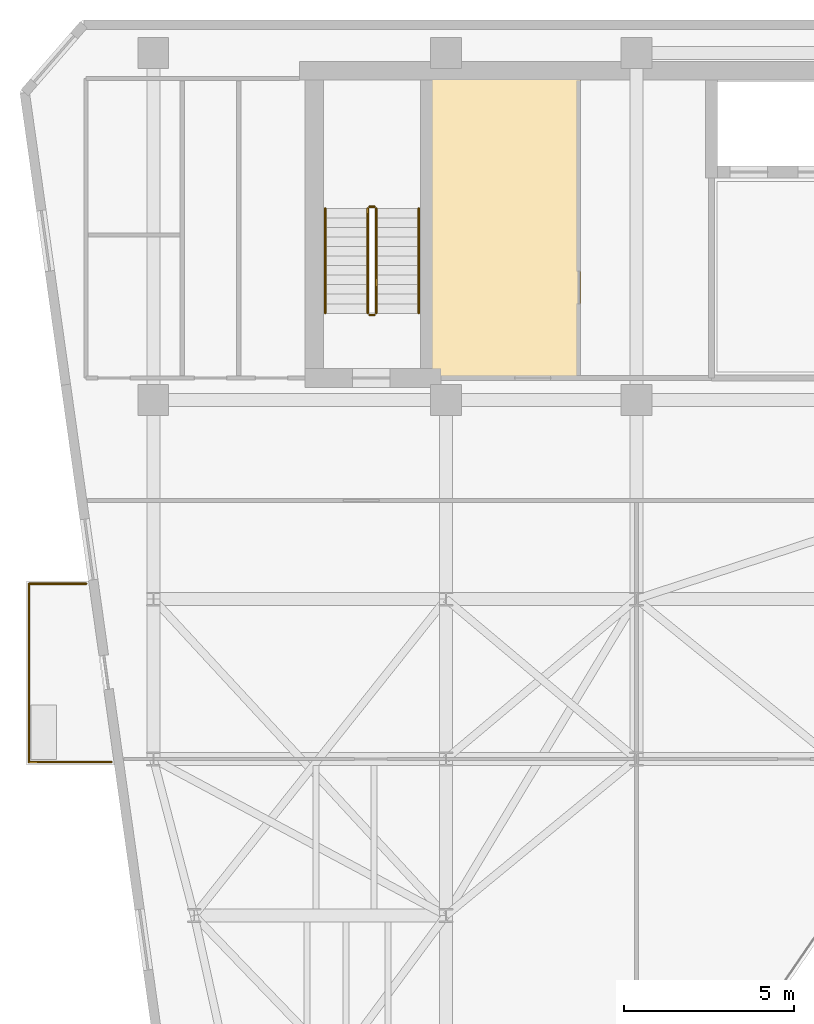
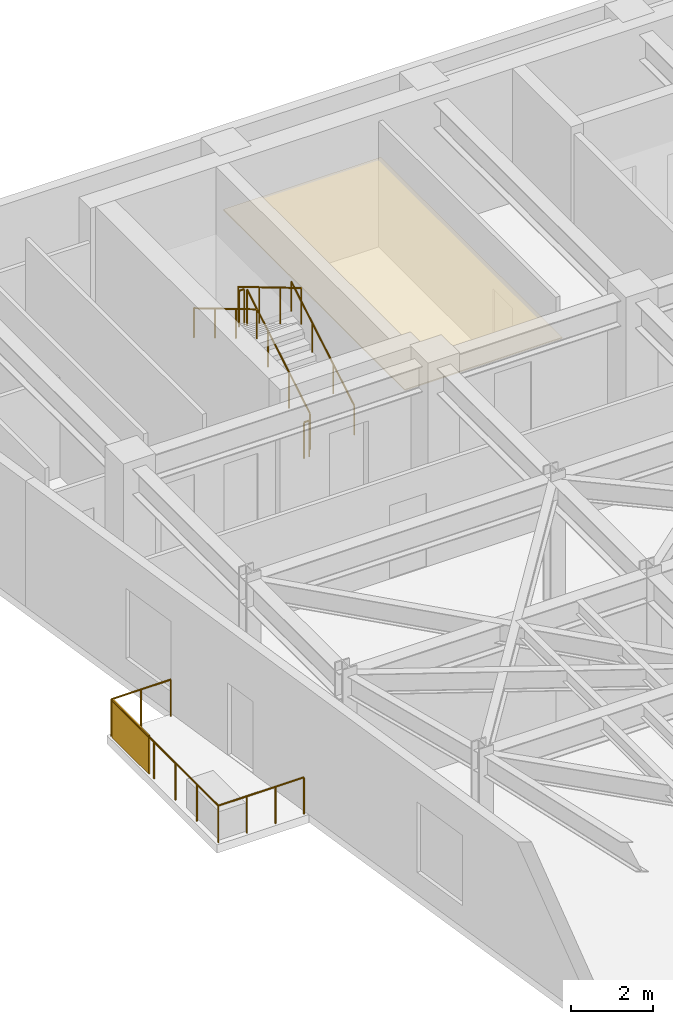
# One storey, part 19 of 21: 9 railings, 1 covering, 1 shading device.
"""IFC4 building model written with IfcOpenShell, lengths in metres."""

from ifc_helpers import new_model, si_unit, direction, frame, origin, origin_2d, place, context, subcontext, project, spatial, polyline, rectangle, circle, outline, extrude, material, layer, layer_set, type_object, element, save


model = new_model("IFC4")

# Units and contexts
model_context = context("Model", 3, precision=1e-05, world=origin(), true_north=direction((0.0, 1.0)))
body_context = subcontext(model_context, "Body", "Model", "MODEL_VIEW")
ifc_project = project(units=[si_unit("LENGTHUNIT", "METRE"), si_unit("AREAUNIT", "SQUARE_METRE"), si_unit("VOLUMEUNIT", "CUBIC_METRE"), si_unit("PLANEANGLEUNIT", "RADIAN"), si_unit("MASSUNIT", "GRAM", prefix="KILO")], contexts=[model_context])

# Site, building, storey
site_placement = place(None, origin())
site = spatial("IfcSite", under=ifc_project, at=site_placement, CompositionType="ELEMENT")
building_placement = place(site_placement, origin())
building = spatial("IfcBuilding", under=site, at=building_placement, Name="Kravanh Interchange Tower", CompositionType="ELEMENT")
storey_placement = place(building_placement, frame((0.0, 0.0, 208.5)))
storey = spatial("IfcBuildingStorey", under=building, at=storey_placement, Name="L50", CompositionType="ELEMENT", Elevation=208.5)

# Covering
ifc_material_1 = material(Name="Anodised Bronze Aluminium Acoustic Baffle", Category="aluminium")
ifc_layer_1 = layer(ifc_material_1, 0.034912109375)
ifc_layer_set_1 = layer_set([ifc_layer_1], Name="Linear Bronze Baffle Feature Ceiling 35mm")
covering_type = type_object("IfcCoveringType", Name="Linear Bronze Baffle Feature Ceiling 35mm", PredefinedType="CEILING", material=ifc_layer_set_1)
covering_placement = place(storey_placement, frame((0.0, 0.0, 2.550048828125)))
element("IfcCovering", 1, at=covering_placement, inside=storey, type_object=covering_type, Name="L50 Regional IT Server Suite Suspended Ceiling", PredefinedType="CEILING", context=body_context, shape_type="SweptSolid", body=[
    extrude(outline(polyline([(31.159912109375, 37.9599609375), (26.7099609375, 37.9599609375), (26.7099609375, 46.840087890625), (31.159912109375, 46.840087890625), (31.159912109375, 37.9599609375)])), origin(), (0.0, 0.0, 1.0), 0.034912109375),
])

# Shading device
ifc_material_2 = material(Name="Perforated Anodised Bronze Aluminium", Category="aluminium")
ifc_layer_2 = layer(ifc_material_2, 0.0400390625)
ifc_layer_set_2 = layer_set([ifc_layer_2], Name="Perforated Bronze Balcony Privacy Screen 1150mm")
shading_device_type = type_object("IfcShadingDeviceType", Name="Perforated Bronze Balcony Privacy Screen 1150mm", PredefinedType="USERDEFINED", material=ifc_layer_set_2)
shading_device_placement = place(storey_placement, frame((14.945068359375, 30.97998046875, 0.0), z_axis=(0.0, 0.0, 1.0), x_axis=(1.0, 0.0, 0.0)))
element("IfcShadingDevice", 2, at=shading_device_placement, inside=storey, type_object=shading_device_type, Name="L50 W Perforated Bronze BALCONY SCREEN", ObjectType="SCREEN", PredefinedType="USERDEFINED", context=body_context, shape_type="SweptSolid", body=[
    extrude(rectangle(XDim=0.0400390625, YDim=1.800048828125, at=origin_2d()), origin(), (0.0, 0.0, 1.0), 1.14990234375),
])

# Railings
ifc_material_3 = material(Name="Stainless Steel 316", Category="steel")
ifc_layer_3 = layer(ifc_material_3, 0.06005859375)
ifc_layer_set_3 = layer_set([ifc_layer_3], Name="Perimeter Balcony and Terrace Guardrail Stainless 316 1120mm")
railing_type_1 = type_object("IfcRailingType", Name="Perimeter Balcony and Terrace Guardrail Stainless 316 1120mm", PredefinedType="GUARDRAIL", material=ifc_layer_set_3)
railing_1_placement = place(storey_placement, frame((14.945068359375, 26.7099609375, 0.0)))
element("IfcRailing", 3, at=railing_1_placement, inside=storey, type_object=railing_type_1, Name="L50 W Balcony Guardrail 1", PredefinedType="GUARDRAIL", context=body_context, shape_type="SweptSolid", body=[
    extrude(circle(Radius=0.02392578125, at=origin_2d()), frame((0.0, 0.0, 1.09619140625), z_axis=(0.0, 1.0, 0.0), x_axis=(-1.0, 0.0, 0.0)), (0.0, 0.0, 1.0), 5.239990234375),
    extrude(circle(Radius=0.02099609375, at=origin_2d()), origin(), (0.0, 0.0, 1.0), 1.072021484375),
    extrude(circle(Radius=0.02099609375, at=origin_2d()), frame((0.0, 1.048095703125, 0.0)), (0.0, 0.0, 1.0), 1.072021484375),
    extrude(circle(Radius=0.02099609375, at=origin_2d()), frame((0.0, 2.095947265625, 0.0)), (0.0, 0.0, 1.0), 1.072021484375),
    extrude(circle(Radius=0.02099609375, at=origin_2d()), frame((0.0, 3.14404296875, 0.0)), (0.0, 0.0, 1.0), 1.072021484375),
    extrude(circle(Radius=0.02099609375, at=origin_2d()), frame((0.0, 4.19189453125, 0.0)), (0.0, 0.0, 1.0), 1.072021484375),
    extrude(circle(Radius=0.02099609375, at=origin_2d()), frame((0.0, 5.239990234375, 0.0)), (0.0, 0.0, 1.0), 1.072021484375),
])
railing_2_placement = place(storey_placement, frame((14.945068359375, 31.949951171875, 0.0)))
element("IfcRailing", 4, at=railing_2_placement, inside=storey, type_object=railing_type_1, Name="L50 W Balcony Guardrail 2", PredefinedType="GUARDRAIL", context=body_context, shape_type="SweptSolid", body=[
    extrude(circle(Radius=0.02392578125, at=origin_2d()), frame((0.0, 0.0, 1.09619140625), z_axis=(1.0, 0.0, 0.0), x_axis=(0.0, 1.0, 0.0)), (0.0, 0.0, 1.0), 1.68505859375),
    extrude(circle(Radius=0.02099609375, at=origin_2d()), origin(), (0.0, 0.0, 1.0), 1.072021484375),
    extrude(circle(Radius=0.02099609375, at=origin_2d()), frame((0.842529296875, 0.0, 0.0)), (0.0, 0.0, 1.0), 1.072021484375),
    extrude(circle(Radius=0.02099609375, at=origin_2d()), frame((1.68505859375, 0.0, 0.0)), (0.0, 0.0, 1.0), 1.072021484375),
])
railing_3_placement = place(storey_placement, frame((17.366455078125, 26.7099609375, 0.0)))
element("IfcRailing", 5, at=railing_3_placement, inside=storey, type_object=railing_type_1, Name="L50 W Balcony Guardrail 3", PredefinedType="GUARDRAIL", context=body_context, shape_type="SweptSolid", body=[
    extrude(circle(Radius=0.02392578125, at=origin_2d()), frame((0.0, 0.0, 1.09619140625), z_axis=(-1.0, 0.0, 0.0), x_axis=(0.0, -1.0, 0.0)), (0.0, 0.0, 1.0), 2.42138671875),
    extrude(circle(Radius=0.02099609375, at=origin_2d()), origin(), (0.0, 0.0, 1.0), 1.072021484375),
    extrude(circle(Radius=0.02099609375, at=origin_2d()), frame((-0.80712890625, 0.0, 0.0)), (0.0, 0.0, 1.0), 1.072021484375),
    extrude(circle(Radius=0.02099609375, at=origin_2d()), frame((-1.6142578125, 0.0, 0.0)), (0.0, 0.0, 1.0), 1.072021484375),
    extrude(circle(Radius=0.02099609375, at=origin_2d()), frame((-2.42138671875, 0.0, 0.0)), (0.0, 0.0, 1.0), 1.072021484375),
])
ifc_material_4 = material(Name="Structural Steel S355", Category="steel")
ifc_layer_4 = layer(ifc_material_4, 0.050048828125)
ifc_layer_set_4 = layer_set([ifc_layer_4], Name="Stair Well Guardrail Structural Steel S355 1100mm")
railing_type_2 = type_object("IfcRailingType", Name="Stair Well Guardrail Structural Steel S355 1100mm", PredefinedType="GUARDRAIL", material=ifc_layer_set_4)
railing_4_placement = place(storey_placement, frame((25.14990234375, 39.89990234375, 0.166748046875)))
element("IfcRailing", 6, at=railing_4_placement, inside=storey, type_object=railing_type_2, Name="L50 ST3 stair guard 1", PredefinedType="GUARDRAIL", context=body_context, shape_type="SweptSolid", body=[
    extrude(circle(Radius=0.02392578125, at=origin_2d()), frame((0.0, 0.0, 1.076171875), z_axis=(0.0, 0.859308565015, 0.511457515432), x_axis=(-1.0, 0.0, 0.0)), (0.0, 0.0, 1.0), 3.58447265625),
    extrude(circle(Radius=0.02099609375, at=origin_2d()), origin(), (0.0, 0.0, 1.0), 1.052001953125),
    extrude(circle(Radius=0.02099609375, at=origin_2d()), frame((0.0, 1.026611328125, 0.611083984375)), (0.0, 0.0, 1.0), 1.052001953125),
    extrude(circle(Radius=0.02099609375, at=origin_2d()), frame((0.0, 2.053466796875, 1.22216796875)), (0.0, 0.0, 1.0), 1.052001953125),
    extrude(circle(Radius=0.02099609375, at=origin_2d()), frame((0.0, 3.080078125, 1.833251953125)), (0.0, 0.0, 1.0), 1.052001953125),
])
railing_5_placement = place(storey_placement, frame((25.10009765625, 43.030029296875, 2.0)))
element("IfcRailing", 7, at=railing_5_placement, inside=storey, type_object=railing_type_2, Name="L50 ST3 stair guard 2", PredefinedType="GUARDRAIL", context=body_context, shape_type="SweptSolid", body=[
    extrude(circle(Radius=0.02392578125, at=origin_2d()), frame((0.0, 0.0, 1.076171875), z_axis=(-1.0, 0.0, 0.0), x_axis=(0.0, -1.0, 0.0)), (0.0, 0.0, 1.0), 0.150146484375),
    extrude(circle(Radius=0.02099609375, at=origin_2d()), origin(), (0.0, 0.0, 1.0), 1.052001953125),
    extrude(circle(Radius=0.02099609375, at=origin_2d()), frame((-0.150146484375, 0.0, 0.0)), (0.0, 0.0, 1.0), 1.052001953125),
])
railing_6_placement = place(storey_placement, frame((24.89990234375, 42.97998046875, 2.166748046875)))
element("IfcRailing", 8, at=railing_6_placement, inside=storey, type_object=railing_type_2, Name="L50 ST3 stair guard 3", PredefinedType="GUARDRAIL", context=body_context, shape_type="SweptSolid", body=[
    extrude(circle(Radius=0.02392578125, at=origin_2d()), frame((0.0, 0.0, 1.076171875), z_axis=(0.0, -0.859308565015, 0.511457515432), x_axis=(1.0, 0.0, 0.0)), (0.0, 0.0, 1.0), 3.58447265625),
    extrude(circle(Radius=0.02099609375, at=origin_2d()), origin(), (0.0, 0.0, 1.0), 1.052001953125),
    extrude(circle(Radius=0.02099609375, at=origin_2d()), frame((0.0, -1.026611328125, 0.611083984375)), (0.0, 0.0, 1.0), 1.052001953125),
    extrude(circle(Radius=0.02099609375, at=origin_2d()), frame((0.0, -2.053466796875, 1.22216796875)), (0.0, 0.0, 1.0), 1.052001953125),
    extrude(circle(Radius=0.02099609375, at=origin_2d()), frame((0.0, -3.080078125, 1.833251953125)), (0.0, 0.0, 1.0), 1.052001953125),
])
railing_7_placement = place(storey_placement, frame((25.10009765625, 39.85009765625, 0.0)))
element("IfcRailing", 9, at=railing_7_placement, inside=storey, type_object=railing_type_2, Name="L50 ST3 stair guard 4", PredefinedType="GUARDRAIL", context=body_context, shape_type="SweptSolid", body=[
    extrude(circle(Radius=0.02392578125, at=origin_2d()), frame((0.0, 0.0, 1.076171875), z_axis=(-1.0, 0.0, 0.0), x_axis=(0.0, -1.0, 0.0)), (0.0, 0.0, 1.0), 0.150146484375),
    extrude(circle(Radius=0.02099609375, at=origin_2d()), origin(), (0.0, 0.0, 1.0), 1.052001953125),
    extrude(circle(Radius=0.02099609375, at=origin_2d()), frame((-0.150146484375, 0.0, 0.0)), (0.0, 0.0, 1.0), 1.052001953125),
])
ifc_material_5 = material(Name="Stainless Steel 304", Category="steel")
ifc_layer_5 = layer(ifc_material_5, 0.044921875)
ifc_layer_set_5 = layer_set([ifc_layer_5], Name="Tubular Stair Handrail Stainless 304 900mm")
railing_type_3 = type_object("IfcRailingType", Name="Tubular Stair Handrail Stainless 304 900mm", PredefinedType="HANDRAIL", material=ifc_layer_set_5)
railing_8_placement = place(storey_placement, frame((26.39990234375, 39.89990234375, 0.166748046875)))
element("IfcRailing", 10, at=railing_8_placement, inside=storey, type_object=railing_type_3, Name="L50 ST3 stair handrail 1", PredefinedType="HANDRAIL", context=body_context, shape_type="SweptSolid", body=[
    extrude(circle(Radius=0.02392578125, at=origin_2d()), frame((0.0, 0.0, 0.8759765625), z_axis=(0.0, 0.859308565015, 0.511457515432), x_axis=(-1.0, 0.0, 0.0)), (0.0, 0.0, 1.0), 3.58447265625),
    extrude(circle(Radius=0.02099609375, at=origin_2d()), origin(), (0.0, 0.0, 1.0), 0.851806640625),
    extrude(circle(Radius=0.02099609375, at=origin_2d()), frame((0.0, 1.026611328125, 0.611083984375)), (0.0, 0.0, 1.0), 0.851806640625),
    extrude(circle(Radius=0.02099609375, at=origin_2d()), frame((0.0, 2.053466796875, 1.22216796875)), (0.0, 0.0, 1.0), 0.851806640625),
    extrude(circle(Radius=0.02099609375, at=origin_2d()), frame((0.0, 3.080078125, 1.833251953125)), (0.0, 0.0, 1.0), 0.851806640625),
])
railing_9_placement = place(storey_placement, frame((23.64990234375, 42.97998046875, 2.166748046875)))
element("IfcRailing", 11, at=railing_9_placement, inside=storey, type_object=railing_type_3, Name="L50 ST3 stair handrail 2", PredefinedType="HANDRAIL", context=body_context, shape_type="SweptSolid", body=[
    extrude(circle(Radius=0.02392578125, at=origin_2d()), frame((0.0, 0.0, 0.8759765625), z_axis=(0.0, -0.859308565015, 0.511457515432), x_axis=(1.0, 0.0, 0.0)), (0.0, 0.0, 1.0), 3.58447265625),
    extrude(circle(Radius=0.02099609375, at=origin_2d()), origin(), (0.0, 0.0, 1.0), 0.851806640625),
    extrude(circle(Radius=0.02099609375, at=origin_2d()), frame((0.0, -1.026611328125, 0.611083984375)), (0.0, 0.0, 1.0), 0.851806640625),
    extrude(circle(Radius=0.02099609375, at=origin_2d()), frame((0.0, -2.053466796875, 1.22216796875)), (0.0, 0.0, 1.0), 0.851806640625),
    extrude(circle(Radius=0.02099609375, at=origin_2d()), frame((0.0, -3.080078125, 1.833251953125)), (0.0, 0.0, 1.0), 0.851806640625),
])

save(model, "model.ifc")
